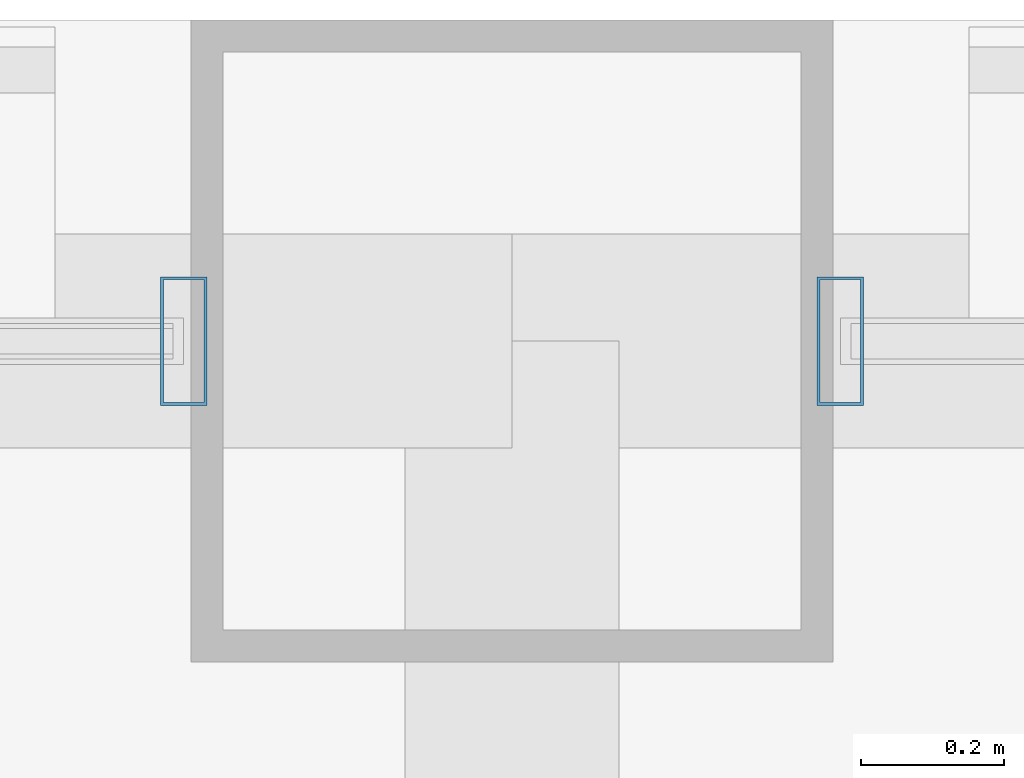
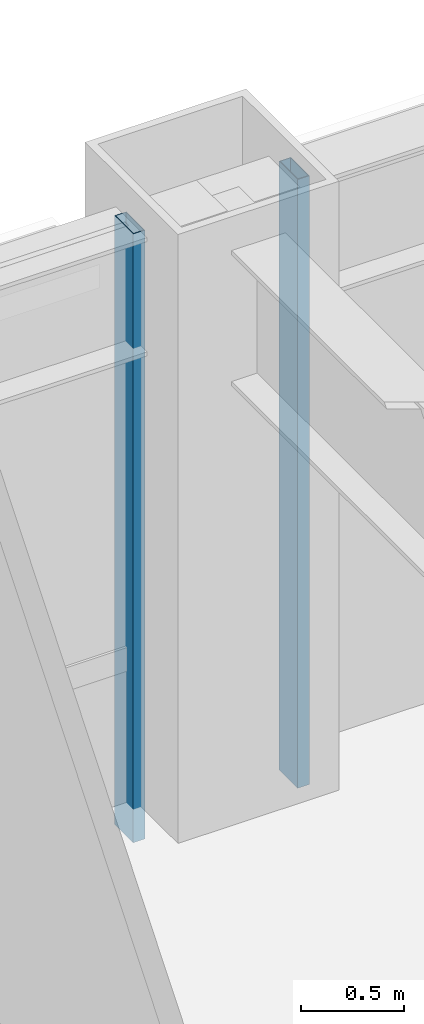
# One storey, part 17 of 28: 2 members, 2 elements without a shape of their own.
"""IFC4 building model written with IfcOpenShell, lengths in metres."""

from ifc_helpers import new_model, si_unit, direction, frame, origin, origin_2d, place, context, subcontext, project, spatial, hollow_rectangle, extrude, material, layer, layer_set, material_profile, profile_set, type_object, element, aggregate, save


model = new_model("IFC4")

# Units and contexts
model_context = context("Model", 3, precision=1e-05, world=origin(), true_north=direction((0.0, 1.0)))
body_context = subcontext(model_context, "Body", "Model", "MODEL_VIEW")
ifc_project = project(units=[si_unit("LENGTHUNIT", "METRE"), si_unit("AREAUNIT", "SQUARE_METRE"), si_unit("VOLUMEUNIT", "CUBIC_METRE"), si_unit("PLANEANGLEUNIT", "RADIAN"), si_unit("MASSUNIT", "GRAM", prefix="KILO")], contexts=[model_context])

# Site, building, storey
site_placement = place(None, origin())
site = spatial("IfcSite", under=ifc_project, at=site_placement, CompositionType="ELEMENT")
building_placement = place(site_placement, origin())
building = spatial("IfcBuilding", under=site, at=building_placement, Name="Brelmoor Portico Tower", CompositionType="ELEMENT")
storey_placement = place(building_placement, frame((0.0, 0.0, 70.800048828125)))
storey = spatial("IfcBuildingStorey", under=building, at=storey_placement, Name="L18", CompositionType="ELEMENT", Elevation=70.800048828125)

# Curtain wall, member
ifc_material = material(Name="Anodised Aluminium Alloy 6063-T6", Category="aluminium")
ifc_layer_1 = layer(ifc_material, 0.179931640625)
ifc_layer_set_1 = layer_set([ifc_layer_1], Name="Anodised Aluminium Alloy 6063-T6")
curtain_wall_type_1 = type_object("IfcCurtainWallType", Name="CW-TOWER-Z1", PredefinedType="NOTDEFINED", material=ifc_layer_set_1)
curtain_wall_1_placement = place(storey_placement, origin())
curtain_wall_1 = element("IfcCurtainWall", 1, at=curtain_wall_1_placement, inside=storey, type_object=curtain_wall_type_1, Name="L18 Curtain Wall CW-L18-02-2", PredefinedType="NOTDEFINED")
ifc_material_profile = material_profile(ifc_material, hollow_rectangle(XDim=0.06494140625, YDim=0.179931640625, WallThickness=0.00390625, at=origin_2d()), Name="ALU MULLION 65x180")
ifc_profile_set = profile_set([ifc_material_profile], Name="Anodised Aluminium Alloy 6063-T6")
member_type = type_object("IfcMemberType", Name="MB-CW-MULL-180", PredefinedType="MULLION", material=ifc_profile_set)
member_1_placement = place(storey_placement, frame((-8.510009765625, 21.550048828125, -0.199951171875), z_axis=(0.0, 0.0, 1.0), x_axis=(1.0, 0.0, 0.0)))
member_1 = element("IfcMember", 2, at=member_1_placement, type_object=member_type, Name="CW-L18-02-2 Mullion 01", PredefinedType="MULLION", context=body_context, shape_type="SweptSolid", body=[
    extrude(hollow_rectangle(XDim=0.06494140625, YDim=0.179931640625, WallThickness=0.00390625, at=origin_2d()), origin(), (0.0, 0.0, 1.0), 3.599853515625),
])
aggregate(curtain_wall_1, [member_1])

ifc_layer_2 = layer(ifc_material, 0.179931640625)
ifc_layer_set_2 = layer_set([ifc_layer_2], Name="Anodised Aluminium Alloy 6063-T6")
curtain_wall_type_2 = type_object("IfcCurtainWallType", Name="CW-TOWER-Z1-XB", PredefinedType="NOTDEFINED", material=ifc_layer_set_2)
curtain_wall_2_placement = place(storey_placement, origin())
curtain_wall_2 = element("IfcCurtainWall", 3, at=curtain_wall_2_placement, inside=storey, type_object=curtain_wall_type_2, Name="L18 Curtain Wall CW-L18-02-3", PredefinedType="NOTDEFINED")
member_2_placement = place(storey_placement, frame((-7.590087890625, 21.550048828125, -0.199951171875), z_axis=(0.0, 0.0, 1.0), x_axis=(1.0, 0.0, 0.0)))
member_2 = element("IfcMember", 4, at=member_2_placement, type_object=member_type, Name="CW-L18-02-3 Mullion 00", PredefinedType="MULLION", context=body_context, shape_type="SweptSolid", body=[
    extrude(hollow_rectangle(XDim=0.06494140625, YDim=0.179931640625, WallThickness=0.00390625, at=origin_2d()), origin(), (0.0, 0.0, 1.0), 3.599853515625),
])
aggregate(curtain_wall_2, [member_2])

save(model, "model.ifc")
